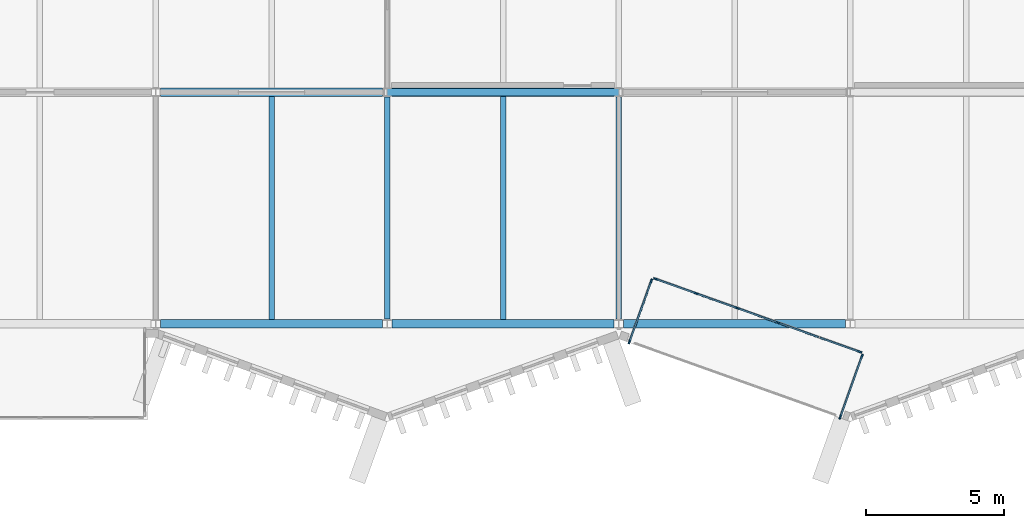
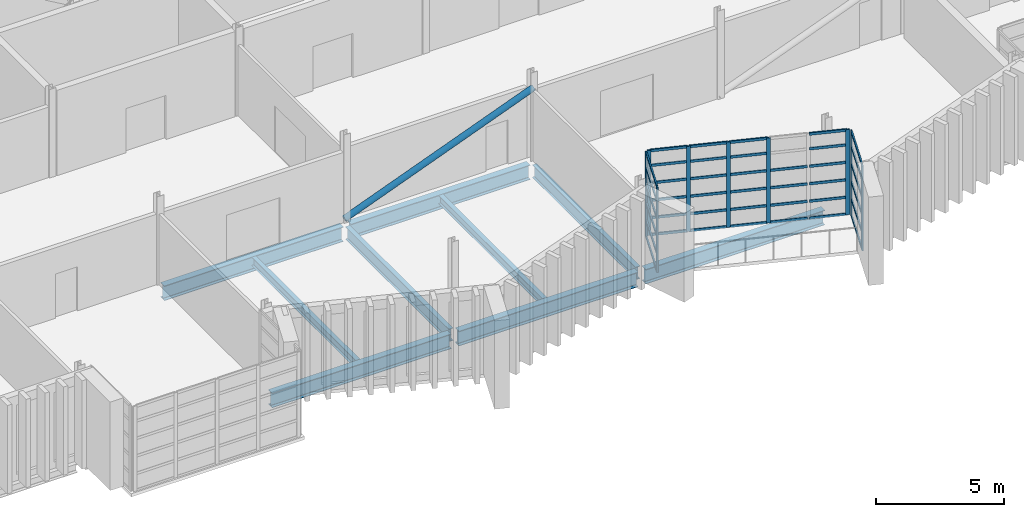
# One storey, part 26 of 100: 50 members, 9 beams, 3 elements without a shape of their own.
"""IFC4 building model written with IfcOpenShell, lengths in metres."""

from ifc_helpers import new_model, si_unit, direction, frame, origin, origin_2d, place, context, subcontext, project, spatial, rectangle, hollow_circle, i_section, extrude, material, layer, layer_set, material_profile, profile_set, type_object, element, aggregate, save


model = new_model("IFC4")

# Units and contexts
model_context = context("Model", 3, precision=1e-05, world=origin(), true_north=direction((0.0, 1.0)))
body_context = subcontext(model_context, "Body", "Model", "MODEL_VIEW")
ifc_project = project(units=[si_unit("LENGTHUNIT", "METRE"), si_unit("AREAUNIT", "SQUARE_METRE"), si_unit("VOLUMEUNIT", "CUBIC_METRE"), si_unit("PLANEANGLEUNIT", "RADIAN"), si_unit("MASSUNIT", "GRAM", prefix="KILO")], contexts=[model_context])

# Site, building, storey
site_placement = place(None, origin())
site = spatial("IfcSite", under=ifc_project, at=site_placement, CompositionType="ELEMENT")
building_placement = place(site_placement, origin())
building = spatial("IfcBuilding", under=site, at=building_placement, Name="Cresset Court Congress Hotel", CompositionType="ELEMENT")
storey_placement = place(building_placement, frame((0.0, 0.0, 10.199951171875)))
storey = spatial("IfcBuildingStorey", under=building, at=storey_placement, Name="L02", CompositionType="ELEMENT", Elevation=10.199951171875)

# Curtain wall, members
ifc_material_1 = material(Name="Aluminium frame with double glazing", Category="aluminium")
ifc_layer = layer(ifc_material_1, 0.199951171875)
ifc_layer_set = layer_set([ifc_layer], Name="Glazed box curtain wall 1680 module")
curtain_wall_type = type_object("IfcCurtainWallType", Name="Glazed box curtain wall 1680 module", PredefinedType="NOTDEFINED", material=ifc_layer_set)
curtain_wall_1_placement = place(storey_placement, origin())
curtain_wall_1 = element("IfcCurtainWall", 1, at=curtain_wall_1_placement, inside=storey, type_object=curtain_wall_type, Name="Glazed box S0216 front", PredefinedType="NOTDEFINED")
ifc_material_2 = material(Name="Aluminium", Category="aluminium")
ifc_material_profile_1 = material_profile(ifc_material_2, rectangle(XDim=0.06005859375, YDim=0.159912109375, at=origin_2d()), Name="Box mullion 60x160")
ifc_profile_set_1 = profile_set([ifc_material_profile_1], Name="Aluminium")
member_type_1 = type_object("IfcMemberType", Name="Box mullion 60x160", PredefinedType="MULLION", material=ifc_profile_set_1)
member_1_placement = place(storey_placement, frame((118.93994140625, 1.6259765625, 0.0), z_axis=(0.0, 0.0, 1.0), x_axis=(0.336336396981, 0.941741911601, 0.0)))
member_1 = element("IfcMember", 2, at=member_1_placement, type_object=member_type_1, Name="B-X1 mullion 1", PredefinedType="MULLION", context=body_context, shape_type="SweptSolid", body=[
    extrude(rectangle(XDim=0.06005859375, YDim=0.159912109375, at=origin_2d()), origin(), (0.0, 0.0, 1.0), 4.050048828125),
])
member_2_placement = place(storey_placement, frame((120.4033203125, 1.103515625, 0.0), z_axis=(0.0, 0.0, 1.0), x_axis=(0.336336396981, 0.941741911601, 0.0)))
member_2 = element("IfcMember", 3, at=member_2_placement, type_object=member_type_1, Name="B-X1 mullion 2", PredefinedType="MULLION", context=body_context, shape_type="SweptSolid", body=[
    extrude(rectangle(XDim=0.06005859375, YDim=0.159912109375, at=origin_2d()), origin(), (0.0, 0.0, 1.0), 4.050048828125),
])
member_3_placement = place(storey_placement, frame((121.89501953125, 0.57080078125, 0.0), z_axis=(0.0, 0.0, 1.0), x_axis=(0.336336396981, 0.941741911601, 0.0)))
member_3 = element("IfcMember", 4, at=member_3_placement, type_object=member_type_1, Name="B-X1 mullion 3", PredefinedType="MULLION", context=body_context, shape_type="SweptSolid", body=[
    extrude(rectangle(XDim=0.06005859375, YDim=0.159912109375, at=origin_2d()), origin(), (0.0, 0.0, 1.0), 4.050048828125),
])
member_4_placement = place(storey_placement, frame((123.38671875, 0.0380859375, 0.0), z_axis=(0.0, 0.0, 1.0), x_axis=(0.336336396981, 0.941741911601, 0.0)))
member_4 = element("IfcMember", 5, at=member_4_placement, type_object=member_type_1, Name="B-X1 mullion 4", PredefinedType="MULLION", context=body_context, shape_type="SweptSolid", body=[
    extrude(rectangle(XDim=0.06005859375, YDim=0.159912109375, at=origin_2d()), origin(), (0.0, 0.0, 1.0), 4.050048828125),
])
member_5_placement = place(storey_placement, frame((126.341796875, -1.017333984375, 0.0), z_axis=(0.0, 0.0, 1.0), x_axis=(0.336336396981, 0.941741911601, 0.0)))
member_5 = element("IfcMember", 6, at=member_5_placement, type_object=member_type_1, Name="B-X1 mullion 6", PredefinedType="MULLION", context=body_context, shape_type="SweptSolid", body=[
    extrude(rectangle(XDim=0.06005859375, YDim=0.159912109375, at=origin_2d()), origin(), (0.0, 0.0, 1.0), 4.050048828125),
])

curtain_wall_2_placement = place(storey_placement, origin())
curtain_wall_2 = element("IfcCurtainWall", 7, at=curtain_wall_2_placement, inside=storey, type_object=curtain_wall_type, Name="Glazed box S0216 side", PredefinedType="NOTDEFINED")
member_6_placement = place(storey_placement, frame((117.98681640625, -0.65625, 0.0), z_axis=(0.0, 0.0, 1.0), x_axis=(-0.941741911707, 0.336336396685, 0.0)))
member_6 = element("IfcMember", 8, at=member_6_placement, type_object=member_type_1, Name="B-X1 mullion 1", PredefinedType="MULLION", context=body_context, shape_type="SweptSolid", body=[
    extrude(rectangle(XDim=0.06005859375, YDim=0.159912109375, at=origin_2d()), origin(), (0.0, 0.0, 1.0), 4.050048828125),
])
member_7_placement = place(storey_placement, frame((118.77392578125, 1.54736328125, 0.0), z_axis=(0.0, 0.0, 1.0), x_axis=(-0.941741911707, 0.336336396685, 0.0)))
member_7 = element("IfcMember", 9, at=member_7_placement, type_object=member_type_1, Name="B-X1 mullion 2", PredefinedType="MULLION", context=body_context, shape_type="SweptSolid", body=[
    extrude(rectangle(XDim=0.06005859375, YDim=0.159912109375, at=origin_2d()), origin(), (0.0, 0.0, 1.0), 4.050048828125),
])

curtain_wall_3_placement = place(storey_placement, origin())
curtain_wall_3 = element("IfcCurtainWall", 10, at=curtain_wall_3_placement, inside=storey, type_object=curtain_wall_type, Name="Glazed box S0216 side", PredefinedType="NOTDEFINED")
member_8_placement = place(storey_placement, frame((125.63330078125, -3.38720703125, 0.0), z_axis=(0.0, 0.0, 1.0), x_axis=(-0.941741911578, 0.336336397047, 0.0)))
member_8 = element("IfcMember", 11, at=member_8_placement, type_object=member_type_1, Name="B-X1 mullion 1", PredefinedType="MULLION", context=body_context, shape_type="SweptSolid", body=[
    extrude(rectangle(XDim=0.06005859375, YDim=0.159912109375, at=origin_2d()), origin(), (0.0, 0.0, 1.0), 4.050048828125),
])
member_9_placement = place(storey_placement, frame((126.42041015625, -1.18359375, 0.0), z_axis=(0.0, 0.0, 1.0), x_axis=(-0.941741911578, 0.336336397047, 0.0)))
member_9 = element("IfcMember", 12, at=member_9_placement, type_object=member_type_1, Name="B-X1 mullion 2", PredefinedType="MULLION", context=body_context, shape_type="SweptSolid", body=[
    extrude(rectangle(XDim=0.06005859375, YDim=0.159912109375, at=origin_2d()), origin(), (0.0, 0.0, 1.0), 4.050048828125),
])

# Member
ifc_material_3 = material(Name="Aluminium", Category="aluminium")
ifc_material_profile_2 = material_profile(ifc_material_3, rectangle(XDim=0.06005859375, YDim=0.1201171875, at=origin_2d()), Name="Box transom 60x120")
ifc_profile_set_2 = profile_set([ifc_material_profile_2], Name="Aluminium")
member_type_2 = type_object("IfcMemberType", Name="Box transom 60x120", PredefinedType="USERDEFINED", material=ifc_profile_set_2)
member_10_placement = place(storey_placement, frame((118.96826171875, 1.615966796875, 0.030029296875), z_axis=(0.941734515945, -0.336357104098, 0.0), x_axis=(0.336357104098, 0.941734515945, 0.0)))
member_10 = element("IfcMember", 13, at=member_10_placement, type_object=member_type_2, Name="B-X1 transom 1.1", ObjectType="TRANSOM", PredefinedType="USERDEFINED", context=body_context, shape_type="SweptSolid", body=[
    extrude(rectangle(XDim=0.06005859375, YDim=0.1201171875, at=origin_2d()), origin(), (0.0, 0.0, 1.0), 1.49365234375),
])

member_11_placement = place(storey_placement, frame((118.96826171875, 1.615966796875, 0.830078125), z_axis=(0.941734515945, -0.336357104098, 0.0), x_axis=(0.336357104098, 0.941734515945, 0.0)))
member_11 = element("IfcMember", 14, at=member_11_placement, type_object=member_type_2, Name="B-X1 transom 1.2", ObjectType="TRANSOM", PredefinedType="USERDEFINED", context=body_context, shape_type="SweptSolid", body=[
    extrude(rectangle(XDim=0.06005859375, YDim=0.1201171875, at=origin_2d()), origin(), (0.0, 0.0, 1.0), 1.49365234375),
])

member_12_placement = place(storey_placement, frame((118.96826171875, 1.615966796875, 1.66015625), z_axis=(0.941734515945, -0.336357104098, 0.0), x_axis=(0.336357104098, 0.941734515945, 0.0)))
member_12 = element("IfcMember", 15, at=member_12_placement, type_object=member_type_2, Name="B-X1 transom 1.3", ObjectType="TRANSOM", PredefinedType="USERDEFINED", context=body_context, shape_type="SweptSolid", body=[
    extrude(rectangle(XDim=0.06005859375, YDim=0.1201171875, at=origin_2d()), origin(), (0.0, 0.0, 1.0), 1.49365234375),
])

member_13_placement = place(storey_placement, frame((118.96826171875, 1.615966796875, 2.489990234375), z_axis=(0.941734515945, -0.336357104098, 0.0), x_axis=(0.336357104098, 0.941734515945, 0.0)))
member_13 = element("IfcMember", 16, at=member_13_placement, type_object=member_type_2, Name="B-X1 transom 1.4", ObjectType="TRANSOM", PredefinedType="USERDEFINED", context=body_context, shape_type="SweptSolid", body=[
    extrude(rectangle(XDim=0.06005859375, YDim=0.1201171875, at=origin_2d()), origin(), (0.0, 0.0, 1.0), 1.49365234375),
])

member_14_placement = place(storey_placement, frame((118.96826171875, 1.615966796875, 3.320068359375), z_axis=(0.941734515945, -0.336357104098, 0.0), x_axis=(0.336357104098, 0.941734515945, 0.0)))
member_14 = element("IfcMember", 17, at=member_14_placement, type_object=member_type_2, Name="B-X1 transom 1.5", ObjectType="TRANSOM", PredefinedType="USERDEFINED", context=body_context, shape_type="SweptSolid", body=[
    extrude(rectangle(XDim=0.06005859375, YDim=0.1201171875, at=origin_2d()), origin(), (0.0, 0.0, 1.0), 1.49365234375),
])

member_15_placement = place(storey_placement, frame((118.96826171875, 1.615966796875, 4.02001953125), z_axis=(0.941734515945, -0.336357104098, 0.0), x_axis=(0.336357104098, 0.941734515945, 0.0)))
member_15 = element("IfcMember", 18, at=member_15_placement, type_object=member_type_2, Name="B-X1 transom 1.6", ObjectType="TRANSOM", PredefinedType="USERDEFINED", context=body_context, shape_type="SweptSolid", body=[
    extrude(rectangle(XDim=0.06005859375, YDim=0.1201171875, at=origin_2d()), origin(), (0.0, 0.0, 1.0), 1.49365234375),
])

member_16_placement = place(storey_placement, frame((120.431640625, 1.09326171875, 0.030029296875), z_axis=(0.941756410009, -0.336295798675, 0.0), x_axis=(0.336295798675, 0.941756410009, 0.0)))
member_16 = element("IfcMember", 19, at=member_16_placement, type_object=member_type_2, Name="B-X1 transom 2.1", ObjectType="TRANSOM", PredefinedType="USERDEFINED", context=body_context, shape_type="SweptSolid", body=[
    extrude(rectangle(XDim=0.06005859375, YDim=0.1201171875, at=origin_2d()), origin(), (0.0, 0.0, 1.0), 1.52392578125),
])

member_17_placement = place(storey_placement, frame((120.431640625, 1.09326171875, 0.830078125), z_axis=(0.941756410009, -0.336295798675, 0.0), x_axis=(0.336295798675, 0.941756410009, 0.0)))
member_17 = element("IfcMember", 20, at=member_17_placement, type_object=member_type_2, Name="B-X1 transom 2.2", ObjectType="TRANSOM", PredefinedType="USERDEFINED", context=body_context, shape_type="SweptSolid", body=[
    extrude(rectangle(XDim=0.06005859375, YDim=0.1201171875, at=origin_2d()), origin(), (0.0, 0.0, 1.0), 1.52392578125),
])

member_18_placement = place(storey_placement, frame((120.431640625, 1.09326171875, 1.66015625), z_axis=(0.941756410009, -0.336295798675, 0.0), x_axis=(0.336295798675, 0.941756410009, 0.0)))
member_18 = element("IfcMember", 21, at=member_18_placement, type_object=member_type_2, Name="B-X1 transom 2.3", ObjectType="TRANSOM", PredefinedType="USERDEFINED", context=body_context, shape_type="SweptSolid", body=[
    extrude(rectangle(XDim=0.06005859375, YDim=0.1201171875, at=origin_2d()), origin(), (0.0, 0.0, 1.0), 1.52392578125),
])

member_19_placement = place(storey_placement, frame((120.431640625, 1.09326171875, 2.489990234375), z_axis=(0.941756410009, -0.336295798675, 0.0), x_axis=(0.336295798675, 0.941756410009, 0.0)))
member_19 = element("IfcMember", 22, at=member_19_placement, type_object=member_type_2, Name="B-X1 transom 2.4", ObjectType="TRANSOM", PredefinedType="USERDEFINED", context=body_context, shape_type="SweptSolid", body=[
    extrude(rectangle(XDim=0.06005859375, YDim=0.1201171875, at=origin_2d()), origin(), (0.0, 0.0, 1.0), 1.52392578125),
])

member_20_placement = place(storey_placement, frame((120.431640625, 1.09326171875, 3.320068359375), z_axis=(0.941756410009, -0.336295798675, 0.0), x_axis=(0.336295798675, 0.941756410009, 0.0)))
member_20 = element("IfcMember", 23, at=member_20_placement, type_object=member_type_2, Name="B-X1 transom 2.5", ObjectType="TRANSOM", PredefinedType="USERDEFINED", context=body_context, shape_type="SweptSolid", body=[
    extrude(rectangle(XDim=0.06005859375, YDim=0.1201171875, at=origin_2d()), origin(), (0.0, 0.0, 1.0), 1.52392578125),
])

member_21_placement = place(storey_placement, frame((120.431640625, 1.09326171875, 4.02001953125), z_axis=(0.941756410009, -0.336295798675, 0.0), x_axis=(0.336295798675, 0.941756410009, 0.0)))
member_21 = element("IfcMember", 24, at=member_21_placement, type_object=member_type_2, Name="B-X1 transom 2.6", ObjectType="TRANSOM", PredefinedType="USERDEFINED", context=body_context, shape_type="SweptSolid", body=[
    extrude(rectangle(XDim=0.06005859375, YDim=0.1201171875, at=origin_2d()), origin(), (0.0, 0.0, 1.0), 1.52392578125),
])

member_22_placement = place(storey_placement, frame((121.92333984375, 0.560546875, 0.030029296875), z_axis=(0.941756410009, -0.336295798675, 0.0), x_axis=(0.336295798675, 0.941756410009, 0.0)))
member_22 = element("IfcMember", 25, at=member_22_placement, type_object=member_type_2, Name="B-X1 transom 3.1", ObjectType="TRANSOM", PredefinedType="USERDEFINED", context=body_context, shape_type="SweptSolid", body=[
    extrude(rectangle(XDim=0.06005859375, YDim=0.1201171875, at=origin_2d()), origin(), (0.0, 0.0, 1.0), 1.52392578125),
])

member_23_placement = place(storey_placement, frame((121.92333984375, 0.560546875, 0.830078125), z_axis=(0.941756410009, -0.336295798675, 0.0), x_axis=(0.336295798675, 0.941756410009, 0.0)))
member_23 = element("IfcMember", 26, at=member_23_placement, type_object=member_type_2, Name="B-X1 transom 3.2", ObjectType="TRANSOM", PredefinedType="USERDEFINED", context=body_context, shape_type="SweptSolid", body=[
    extrude(rectangle(XDim=0.06005859375, YDim=0.1201171875, at=origin_2d()), origin(), (0.0, 0.0, 1.0), 1.52392578125),
])

member_24_placement = place(storey_placement, frame((121.92333984375, 0.560546875, 1.66015625), z_axis=(0.941756410009, -0.336295798675, 0.0), x_axis=(0.336295798675, 0.941756410009, 0.0)))
member_24 = element("IfcMember", 27, at=member_24_placement, type_object=member_type_2, Name="B-X1 transom 3.3", ObjectType="TRANSOM", PredefinedType="USERDEFINED", context=body_context, shape_type="SweptSolid", body=[
    extrude(rectangle(XDim=0.06005859375, YDim=0.1201171875, at=origin_2d()), origin(), (0.0, 0.0, 1.0), 1.52392578125),
])

member_25_placement = place(storey_placement, frame((121.92333984375, 0.560546875, 2.489990234375), z_axis=(0.941756410009, -0.336295798675, 0.0), x_axis=(0.336295798675, 0.941756410009, 0.0)))
member_25 = element("IfcMember", 28, at=member_25_placement, type_object=member_type_2, Name="B-X1 transom 3.4", ObjectType="TRANSOM", PredefinedType="USERDEFINED", context=body_context, shape_type="SweptSolid", body=[
    extrude(rectangle(XDim=0.06005859375, YDim=0.1201171875, at=origin_2d()), origin(), (0.0, 0.0, 1.0), 1.52392578125),
])

member_26_placement = place(storey_placement, frame((121.92333984375, 0.560546875, 3.320068359375), z_axis=(0.941756410009, -0.336295798675, 0.0), x_axis=(0.336295798675, 0.941756410009, 0.0)))
member_26 = element("IfcMember", 29, at=member_26_placement, type_object=member_type_2, Name="B-X1 transom 3.5", ObjectType="TRANSOM", PredefinedType="USERDEFINED", context=body_context, shape_type="SweptSolid", body=[
    extrude(rectangle(XDim=0.06005859375, YDim=0.1201171875, at=origin_2d()), origin(), (0.0, 0.0, 1.0), 1.52392578125),
])

member_27_placement = place(storey_placement, frame((121.92333984375, 0.560546875, 4.02001953125), z_axis=(0.941756410009, -0.336295798675, 0.0), x_axis=(0.336295798675, 0.941756410009, 0.0)))
member_27 = element("IfcMember", 30, at=member_27_placement, type_object=member_type_2, Name="B-X1 transom 3.6", ObjectType="TRANSOM", PredefinedType="USERDEFINED", context=body_context, shape_type="SweptSolid", body=[
    extrude(rectangle(XDim=0.06005859375, YDim=0.1201171875, at=origin_2d()), origin(), (0.0, 0.0, 1.0), 1.52392578125),
])

member_28_placement = place(storey_placement, frame((123.4150390625, 0.02783203125, 0.030029296875), z_axis=(0.941756410009, -0.336295798675, 0.0), x_axis=(0.336295798675, 0.941756410009, 0.0)))
member_28 = element("IfcMember", 31, at=member_28_placement, type_object=member_type_2, Name="B-X1 transom 4.1", ObjectType="TRANSOM", PredefinedType="USERDEFINED", context=body_context, shape_type="SweptSolid", body=[
    extrude(rectangle(XDim=0.06005859375, YDim=0.1201171875, at=origin_2d()), origin(), (0.0, 0.0, 1.0), 1.52392578125),
])

member_29_placement = place(storey_placement, frame((123.4150390625, 0.02783203125, 0.830078125), z_axis=(0.941756410009, -0.336295798675, 0.0), x_axis=(0.336295798675, 0.941756410009, 0.0)))
member_29 = element("IfcMember", 32, at=member_29_placement, type_object=member_type_2, Name="B-X1 transom 4.2", ObjectType="TRANSOM", PredefinedType="USERDEFINED", context=body_context, shape_type="SweptSolid", body=[
    extrude(rectangle(XDim=0.06005859375, YDim=0.1201171875, at=origin_2d()), origin(), (0.0, 0.0, 1.0), 1.52392578125),
])

member_30_placement = place(storey_placement, frame((123.4150390625, 0.02783203125, 1.66015625), z_axis=(0.941756410009, -0.336295798675, 0.0), x_axis=(0.336295798675, 0.941756410009, 0.0)))
member_30 = element("IfcMember", 33, at=member_30_placement, type_object=member_type_2, Name="B-X1 transom 4.3", ObjectType="TRANSOM", PredefinedType="USERDEFINED", context=body_context, shape_type="SweptSolid", body=[
    extrude(rectangle(XDim=0.06005859375, YDim=0.1201171875, at=origin_2d()), origin(), (0.0, 0.0, 1.0), 1.52392578125),
])

member_31_placement = place(storey_placement, frame((123.4150390625, 0.02783203125, 2.489990234375), z_axis=(0.941756410009, -0.336295798675, 0.0), x_axis=(0.336295798675, 0.941756410009, 0.0)))
member_31 = element("IfcMember", 34, at=member_31_placement, type_object=member_type_2, Name="B-X1 transom 4.4", ObjectType="TRANSOM", PredefinedType="USERDEFINED", context=body_context, shape_type="SweptSolid", body=[
    extrude(rectangle(XDim=0.06005859375, YDim=0.1201171875, at=origin_2d()), origin(), (0.0, 0.0, 1.0), 1.52392578125),
])

member_32_placement = place(storey_placement, frame((124.906494140625, -0.5048828125, 0.030029296875), z_axis=(0.941753002509, -0.336305340823, 0.0), x_axis=(0.336305340823, 0.941753002509, 0.0)))
member_32 = element("IfcMember", 35, at=member_32_placement, type_object=member_type_2, Name="B-X1 transom 5.1", ObjectType="TRANSOM", PredefinedType="USERDEFINED", context=body_context, shape_type="SweptSolid", body=[
    extrude(rectangle(XDim=0.06005859375, YDim=0.1201171875, at=origin_2d()), origin(), (0.0, 0.0, 1.0), 1.493896484375),
])

member_33_placement = place(storey_placement, frame((124.906494140625, -0.5048828125, 0.830078125), z_axis=(0.941753002509, -0.336305340823, 0.0), x_axis=(0.336305340823, 0.941753002509, 0.0)))
member_33 = element("IfcMember", 36, at=member_33_placement, type_object=member_type_2, Name="B-X1 transom 5.2", ObjectType="TRANSOM", PredefinedType="USERDEFINED", context=body_context, shape_type="SweptSolid", body=[
    extrude(rectangle(XDim=0.06005859375, YDim=0.1201171875, at=origin_2d()), origin(), (0.0, 0.0, 1.0), 1.493896484375),
])

member_34_placement = place(storey_placement, frame((124.906494140625, -0.5048828125, 1.66015625), z_axis=(0.941753002509, -0.336305340823, 0.0), x_axis=(0.336305340823, 0.941753002509, 0.0)))
member_34 = element("IfcMember", 37, at=member_34_placement, type_object=member_type_2, Name="B-X1 transom 5.3", ObjectType="TRANSOM", PredefinedType="USERDEFINED", context=body_context, shape_type="SweptSolid", body=[
    extrude(rectangle(XDim=0.06005859375, YDim=0.1201171875, at=origin_2d()), origin(), (0.0, 0.0, 1.0), 1.493896484375),
])

member_35_placement = place(storey_placement, frame((124.906494140625, -0.5048828125, 2.489990234375), z_axis=(0.941753002509, -0.336305340823, 0.0), x_axis=(0.336305340823, 0.941753002509, 0.0)))
member_35 = element("IfcMember", 38, at=member_35_placement, type_object=member_type_2, Name="B-X1 transom 5.4", ObjectType="TRANSOM", PredefinedType="USERDEFINED", context=body_context, shape_type="SweptSolid", body=[
    extrude(rectangle(XDim=0.06005859375, YDim=0.1201171875, at=origin_2d()), origin(), (0.0, 0.0, 1.0), 1.493896484375),
])

member_36_placement = place(storey_placement, frame((124.906494140625, -0.5048828125, 3.320068359375), z_axis=(0.941753002509, -0.336305340823, 0.0), x_axis=(0.336305340823, 0.941753002509, 0.0)))
member_36 = element("IfcMember", 39, at=member_36_placement, type_object=member_type_2, Name="B-X1 transom 5.5", ObjectType="TRANSOM", PredefinedType="USERDEFINED", context=body_context, shape_type="SweptSolid", body=[
    extrude(rectangle(XDim=0.06005859375, YDim=0.1201171875, at=origin_2d()), origin(), (0.0, 0.0, 1.0), 1.493896484375),
])

member_37_placement = place(storey_placement, frame((124.906494140625, -0.5048828125, 4.02001953125), z_axis=(0.941753002509, -0.336305340823, 0.0), x_axis=(0.336305340823, 0.941753002509, 0.0)))
member_37 = element("IfcMember", 40, at=member_37_placement, type_object=member_type_2, Name="B-X1 transom 5.6", ObjectType="TRANSOM", PredefinedType="USERDEFINED", context=body_context, shape_type="SweptSolid", body=[
    extrude(rectangle(XDim=0.06005859375, YDim=0.1201171875, at=origin_2d()), origin(), (0.0, 0.0, 1.0), 1.493896484375),
])

aggregate(curtain_wall_1, [member_1, member_2, member_3, member_4, member_5, member_10, member_11, member_12, member_13, member_14, member_15, member_16, member_17, member_18, member_19, member_20, member_21, member_22, member_23, member_24, member_25, member_26, member_27, member_28, member_29, member_30, member_31, member_32, member_33, member_34, member_35, member_36, member_37])

member_38_placement = place(storey_placement, frame((117.996826171875, -0.6279296875, 0.030029296875), z_axis=(0.336363532289, 0.941732219979, 0.0), x_axis=(-0.941732219979, 0.336363532289, 0.0)))
member_38 = element("IfcMember", 41, at=member_38_placement, type_object=member_type_2, Name="B-X1 transom 1.1", ObjectType="TRANSOM", PredefinedType="USERDEFINED", context=body_context, shape_type="SweptSolid", body=[
    extrude(rectangle(XDim=0.06005859375, YDim=0.1201171875, at=origin_2d()), origin(), (0.0, 0.0, 1.0), 2.27978515625),
])

member_39_placement = place(storey_placement, frame((117.996826171875, -0.6279296875, 0.830078125), z_axis=(0.336363532289, 0.941732219979, 0.0), x_axis=(-0.941732219979, 0.336363532289, 0.0)))
member_39 = element("IfcMember", 42, at=member_39_placement, type_object=member_type_2, Name="B-X1 transom 1.2", ObjectType="TRANSOM", PredefinedType="USERDEFINED", context=body_context, shape_type="SweptSolid", body=[
    extrude(rectangle(XDim=0.06005859375, YDim=0.1201171875, at=origin_2d()), origin(), (0.0, 0.0, 1.0), 2.27978515625),
])

member_40_placement = place(storey_placement, frame((117.996826171875, -0.6279296875, 1.66015625), z_axis=(0.336363532289, 0.941732219979, 0.0), x_axis=(-0.941732219979, 0.336363532289, 0.0)))
member_40 = element("IfcMember", 43, at=member_40_placement, type_object=member_type_2, Name="B-X1 transom 1.3", ObjectType="TRANSOM", PredefinedType="USERDEFINED", context=body_context, shape_type="SweptSolid", body=[
    extrude(rectangle(XDim=0.06005859375, YDim=0.1201171875, at=origin_2d()), origin(), (0.0, 0.0, 1.0), 2.27978515625),
])

member_41_placement = place(storey_placement, frame((117.996826171875, -0.6279296875, 2.489990234375), z_axis=(0.336363532289, 0.941732219979, 0.0), x_axis=(-0.941732219979, 0.336363532289, 0.0)))
member_41 = element("IfcMember", 44, at=member_41_placement, type_object=member_type_2, Name="B-X1 transom 1.4", ObjectType="TRANSOM", PredefinedType="USERDEFINED", context=body_context, shape_type="SweptSolid", body=[
    extrude(rectangle(XDim=0.06005859375, YDim=0.1201171875, at=origin_2d()), origin(), (0.0, 0.0, 1.0), 2.27978515625),
])

member_42_placement = place(storey_placement, frame((117.996826171875, -0.6279296875, 3.320068359375), z_axis=(0.336363532289, 0.941732219979, 0.0), x_axis=(-0.941732219979, 0.336363532289, 0.0)))
member_42 = element("IfcMember", 45, at=member_42_placement, type_object=member_type_2, Name="B-X1 transom 1.5", ObjectType="TRANSOM", PredefinedType="USERDEFINED", context=body_context, shape_type="SweptSolid", body=[
    extrude(rectangle(XDim=0.06005859375, YDim=0.1201171875, at=origin_2d()), origin(), (0.0, 0.0, 1.0), 2.27978515625),
])

member_43_placement = place(storey_placement, frame((117.996826171875, -0.6279296875, 4.02001953125), z_axis=(0.336363532289, 0.941732219979, 0.0), x_axis=(-0.941732219979, 0.336363532289, 0.0)))
member_43 = element("IfcMember", 46, at=member_43_placement, type_object=member_type_2, Name="B-X1 transom 1.6", ObjectType="TRANSOM", PredefinedType="USERDEFINED", context=body_context, shape_type="SweptSolid", body=[
    extrude(rectangle(XDim=0.06005859375, YDim=0.1201171875, at=origin_2d()), origin(), (0.0, 0.0, 1.0), 2.27978515625),
])

aggregate(curtain_wall_2, [member_6, member_7, member_38, member_39, member_40, member_41, member_42, member_43])

member_44_placement = place(storey_placement, frame((125.6435546875, -3.35888671875, 0.030029296875), z_axis=(0.336329613816, 0.941744334132, 0.0), x_axis=(-0.941744334132, 0.336329613816, 0.0)))
member_44 = element("IfcMember", 47, at=member_44_placement, type_object=member_type_2, Name="B-X1 transom 1.1", ObjectType="TRANSOM", PredefinedType="USERDEFINED", context=body_context, shape_type="SweptSolid", body=[
    extrude(rectangle(XDim=0.06005859375, YDim=0.1201171875, at=origin_2d()), origin(), (0.0, 0.0, 1.0), 2.280029296875),
])

member_45_placement = place(storey_placement, frame((125.6435546875, -3.35888671875, 0.830078125), z_axis=(0.336329613816, 0.941744334132, 0.0), x_axis=(-0.941744334132, 0.336329613816, 0.0)))
member_45 = element("IfcMember", 48, at=member_45_placement, type_object=member_type_2, Name="B-X1 transom 1.2", ObjectType="TRANSOM", PredefinedType="USERDEFINED", context=body_context, shape_type="SweptSolid", body=[
    extrude(rectangle(XDim=0.06005859375, YDim=0.1201171875, at=origin_2d()), origin(), (0.0, 0.0, 1.0), 2.280029296875),
])

member_46_placement = place(storey_placement, frame((125.6435546875, -3.35888671875, 1.66015625), z_axis=(0.336329613816, 0.941744334132, 0.0), x_axis=(-0.941744334132, 0.336329613816, 0.0)))
member_46 = element("IfcMember", 49, at=member_46_placement, type_object=member_type_2, Name="B-X1 transom 1.3", ObjectType="TRANSOM", PredefinedType="USERDEFINED", context=body_context, shape_type="SweptSolid", body=[
    extrude(rectangle(XDim=0.06005859375, YDim=0.1201171875, at=origin_2d()), origin(), (0.0, 0.0, 1.0), 2.280029296875),
])

member_47_placement = place(storey_placement, frame((125.6435546875, -3.35888671875, 2.489990234375), z_axis=(0.336329613816, 0.941744334132, 0.0), x_axis=(-0.941744334132, 0.336329613816, 0.0)))
member_47 = element("IfcMember", 50, at=member_47_placement, type_object=member_type_2, Name="B-X1 transom 1.4", ObjectType="TRANSOM", PredefinedType="USERDEFINED", context=body_context, shape_type="SweptSolid", body=[
    extrude(rectangle(XDim=0.06005859375, YDim=0.1201171875, at=origin_2d()), origin(), (0.0, 0.0, 1.0), 2.280029296875),
])

member_48_placement = place(storey_placement, frame((125.6435546875, -3.35888671875, 3.320068359375), z_axis=(0.336329613816, 0.941744334132, 0.0), x_axis=(-0.941744334132, 0.336329613816, 0.0)))
member_48 = element("IfcMember", 51, at=member_48_placement, type_object=member_type_2, Name="B-X1 transom 1.5", ObjectType="TRANSOM", PredefinedType="USERDEFINED", context=body_context, shape_type="SweptSolid", body=[
    extrude(rectangle(XDim=0.06005859375, YDim=0.1201171875, at=origin_2d()), origin(), (0.0, 0.0, 1.0), 2.280029296875),
])

member_49_placement = place(storey_placement, frame((125.6435546875, -3.35888671875, 4.02001953125), z_axis=(0.336329613816, 0.941744334132, 0.0), x_axis=(-0.941744334132, 0.336329613816, 0.0)))
member_49 = element("IfcMember", 52, at=member_49_placement, type_object=member_type_2, Name="B-X1 transom 1.6", ObjectType="TRANSOM", PredefinedType="USERDEFINED", context=body_context, shape_type="SweptSolid", body=[
    extrude(rectangle(XDim=0.06005859375, YDim=0.1201171875, at=origin_2d()), origin(), (0.0, 0.0, 1.0), 2.280029296875),
])

aggregate(curtain_wall_3, [member_8, member_9, member_44, member_45, member_46, member_47, member_48, member_49])

# Beams
ifc_material_4 = material(Name="Structural steel Q355B", Category="steel")
ifc_material_profile_3 = material_profile(ifc_material_4, i_section(OverallWidth=0.199951171875, OverallDepth=0.60009765625, WebThickness=0.010986328125, FlangeThickness=0.01708984375, FilletRadius=0.012939453125, at=origin_2d()), Name="HN600x200x11x17")
ifc_profile_set_3 = profile_set([ifc_material_profile_3], Name="Structural steel Q355B")
beam_type_1 = type_object("IfcBeamType", Name="Steel beam HN600x200x11x17", PredefinedType="BEAM", material=ifc_profile_set_3)
for number, where, z_axis, x_axis, name in (
    (53, (109.199951171875, 0.175048828125, -0.449951171875), (0.0, 1.0, 0.0), (-1.0, 0.0, 0.0), "B.by.L02.14A"),
    (54, (117.60009765625, 0.175048828125, -0.449951171875), (0.0, 1.0, 0.0), (-1.0, 0.0, 0.0), "B.by.L02.15A"),
):
    element("IfcBeam", number, at=place(storey_placement, frame(where, z_axis=z_axis, x_axis=x_axis)), inside=storey, type_object=beam_type_1, Name=name, PredefinedType="BEAM", context=body_context, shape_type="SweptSolid", body=[
        extrude(i_section(OverallWidth=0.199951171875, OverallDepth=0.60009765625, WebThickness=0.010986328125, FlangeThickness=0.01708984375, FilletRadius=0.012939453125, at=origin_2d()), origin(), (0.0, 0.0, 1.0), 8.050048828125),
    ])
ifc_material_5 = material(Name="Structural steel Q355B", Category="steel")
ifc_material_profile_4 = material_profile(ifc_material_5, i_section(OverallWidth=0.300048828125, OverallDepth=0.699951171875, WebThickness=0.012939453125, FlangeThickness=0.02392578125, FilletRadius=0.01806640625, at=origin_2d()), Name="HN700x300x13x24")
ifc_profile_set_4 = profile_set([ifc_material_profile_4], Name="Structural steel Q355B")
beam_type_2 = type_object("IfcBeamType", Name="Steel beam HN700x300x13x24", PredefinedType="BEAM", material=ifc_profile_set_4)
beam_1_placement = place(storey_placement, frame((100.97509765625, 0.0, -0.5), z_axis=(1.0, 0.0, 0.0), x_axis=(0.0, 1.0, 0.0)))
element("IfcBeam", 55, at=beam_1_placement, inside=storey, type_object=beam_type_2, Name="B.bx.L02.A13", PredefinedType="BEAM", context=body_context, shape_type="SweptSolid", body=[
    extrude(i_section(OverallWidth=0.300048828125, OverallDepth=0.699951171875, WebThickness=0.012939453125, FlangeThickness=0.02392578125, FilletRadius=0.01806640625, at=origin_2d()), origin(), (0.0, 0.0, 1.0), 8.0498046875),
])
for number, where, z_axis, x_axis, name in (
    (56, (109.375, 0.0, -0.5), (1.0, 0.0, 0.0), (0.0, 1.0, 0.0), "B.bx.L02.A14"),
    (57, (117.77490234375, 0.0, -0.5), (1.0, 0.0, 0.0), (0.0, 1.0, 0.0), "B.bx.L02.A15"),
):
    element("IfcBeam", number, at=place(storey_placement, frame(where, z_axis=z_axis, x_axis=x_axis)), inside=storey, type_object=beam_type_2, Name=name, PredefinedType="BEAM", context=body_context, shape_type="SweptSolid", body=[
        extrude(i_section(OverallWidth=0.300048828125, OverallDepth=0.699951171875, WebThickness=0.012939453125, FlangeThickness=0.02392578125, FilletRadius=0.01806640625, at=origin_2d()), origin(), (0.0, 0.0, 1.0), 8.050048828125),
    ])
beam_2_placement = place(storey_placement, frame((100.97509765625, 8.39990234375, -0.5), z_axis=(1.0, 0.0, 0.0), x_axis=(0.0, 1.0, 0.0)))
element("IfcBeam", 58, at=beam_2_placement, inside=storey, type_object=beam_type_2, Name="B.bx.L02.B13", PredefinedType="BEAM", context=body_context, shape_type="SweptSolid", body=[
    extrude(i_section(OverallWidth=0.300048828125, OverallDepth=0.699951171875, WebThickness=0.012939453125, FlangeThickness=0.02392578125, FilletRadius=0.01806640625, at=origin_2d()), origin(), (0.0, 0.0, 1.0), 8.0498046875),
])
beam_3_placement = place(storey_placement, frame((109.375, 8.39990234375, -0.5), z_axis=(1.0, 0.0, 0.0), x_axis=(0.0, 1.0, 0.0)))
element("IfcBeam", 59, at=beam_3_placement, inside=storey, type_object=beam_type_2, Name="B.bx.L02.B14", PredefinedType="BEAM", context=body_context, shape_type="SweptSolid", body=[
    extrude(i_section(OverallWidth=0.300048828125, OverallDepth=0.699951171875, WebThickness=0.012939453125, FlangeThickness=0.02392578125, FilletRadius=0.01806640625, at=origin_2d()), origin(), (0.0, 0.0, 1.0), 8.050048828125),
])

# Member
ifc_material_6 = material(Name="Structural steel Q355B", Category="steel")
ifc_material_profile_5 = material_profile(ifc_material_6, hollow_circle(Radius=0.136474609375, WallThickness=0.011962890625, at=origin_2d()), Name="CHS273x12")
ifc_profile_set_5 = profile_set([ifc_material_profile_5], Name="Structural steel Q355B")
member_type_3 = type_object("IfcMemberType", Name="Steel brace CHS273x12", PredefinedType="BRACE", material=ifc_profile_set_5)
member_50_placement = place(storey_placement, frame((109.14990234375, 8.39990234375, 0.10009765625), z_axis=(0.933684557266, 0.0, 0.35809656173), x_axis=(0.0, 1.0, 0.0)))
element("IfcMember", 60, at=member_50_placement, inside=storey, type_object=member_type_3, Name="Brace L02 14", PredefinedType="BRACE", context=body_context, shape_type="SweptSolid", body=[
    extrude(hollow_circle(Radius=0.136474609375, WallThickness=0.011962890625, at=origin_2d()), origin(), (0.0, 0.0, 1.0), 9.103759765625),
])

# Beams
ifc_material_7 = material(Name="Structural steel Q355B", Category="steel")
ifc_material_profile_6 = material_profile(ifc_material_7, i_section(OverallWidth=0.199951171875, OverallDepth=0.39990234375, WebThickness=0.008056640625, FlangeThickness=0.012939453125, FilletRadius=0.01611328125, at=origin_2d()), Name="HN400x200x8x13")
ifc_profile_set_6 = profile_set([ifc_material_profile_6], Name="Structural steel Q355B")
beam_type_3 = type_object("IfcBeamType", Name="Steel joist HN400x200x8x13", PredefinedType="JOIST", material=ifc_profile_set_6)
for number, where, z_axis, x_axis, name in (
    (61, (105.0, 0.14990234375, -0.349853515625), (0.0, 1.0, 0.0), (-1.0, 0.0, 0.0), "B.bj.L02.13A"),
    (62, (113.39990234375, 0.14990234375, -0.349853515625), (0.0, 1.0, 0.0), (-1.0, 0.0, 0.0), "B.bj.L02.14A"),
):
    element("IfcBeam", number, at=place(storey_placement, frame(where, z_axis=z_axis, x_axis=x_axis)), inside=storey, type_object=beam_type_3, Name=name, PredefinedType="JOIST", context=body_context, shape_type="SweptSolid", body=[
        extrude(i_section(OverallWidth=0.199951171875, OverallDepth=0.39990234375, WebThickness=0.008056640625, FlangeThickness=0.012939453125, FilletRadius=0.01611328125, at=origin_2d()), origin(), (0.0, 0.0, 1.0), 8.10009765625),
    ])

save(model, "model.ifc")
